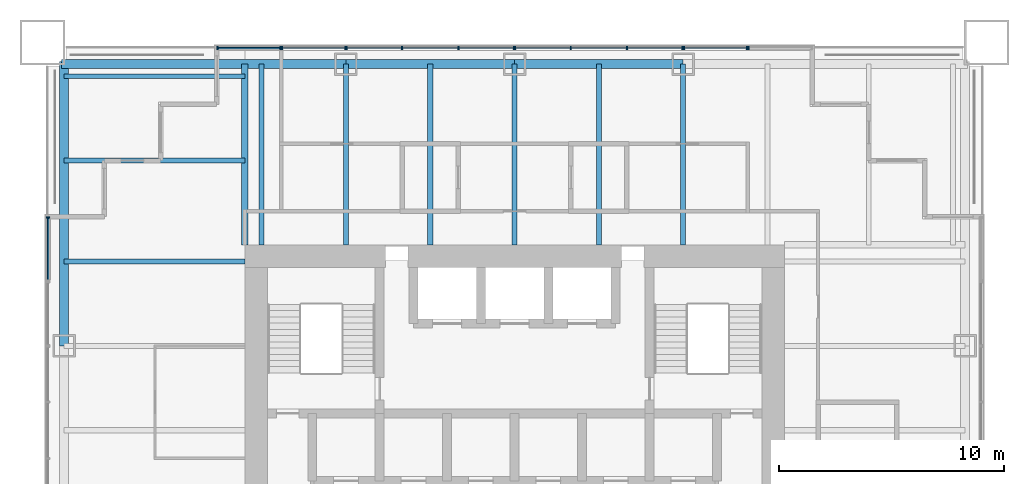
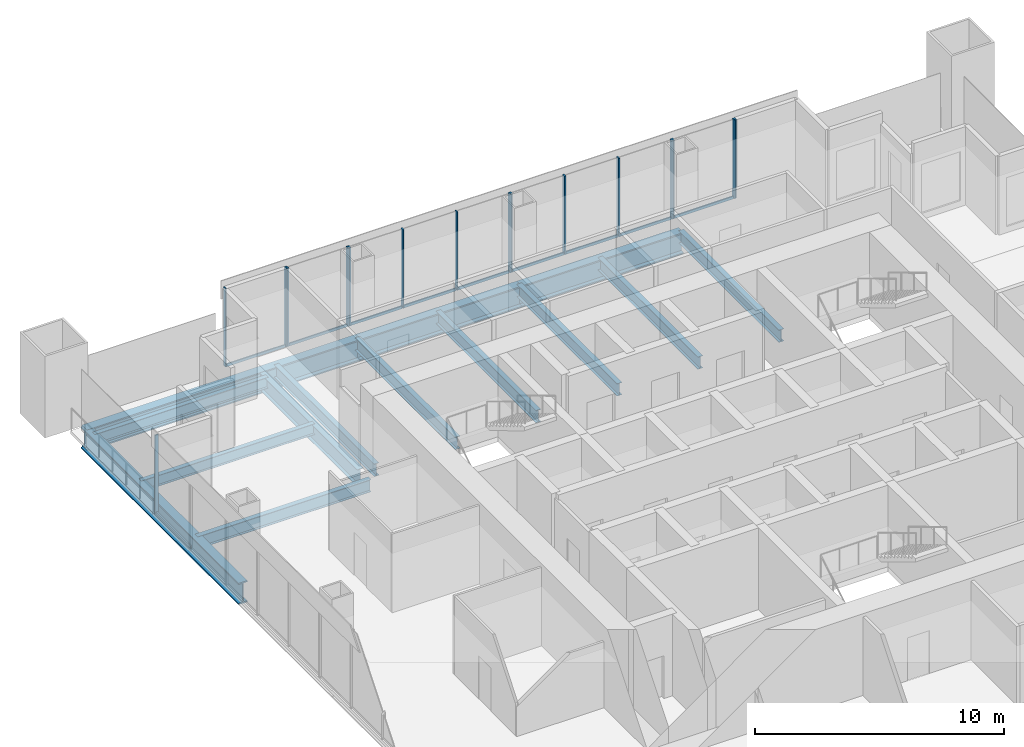
# One storey, part 6 of 14: 26 members, 14 beams, 7 elements without a shape of their own.
"""IFC4 building model written with IfcOpenShell, lengths in metres."""

import ifcopenshell
import ifcopenshell.guid

model = None  # the IFC model being written
_history = None  # IfcOwnerHistory: only IFC2X3 demands one
_inside = {}  # id of a spatial element -> (the spatial element, [elements in it])
_under = {}  # id of a project, library or spatial element -> (it, [spatial elements below it])
_declared = {}  # id of a project -> (the project, [libraries it declares])
_typed = {}  # id of a type object -> (the type object, [elements of that type])
_made_of = {}  # id of a material, layer set ... -> (it, [elements and type objects made of it])


def new_model(schema):
    """Start an empty IFC model of exactly this schema.

    Asked for "IFC4X3", IfcOpenShell would pick the latest addendum, in which some entities
    have other attributes; the version numbers below select the first issue.
    IFC2X3 requires an IfcOwnerHistory on every rooted entity: one is made here for all.
    """
    global model, _history
    if schema == "IFC4X3":
        model = ifcopenshell.file(schema_version=(4, 3, 0, 0))
    else:
        model = ifcopenshell.file(schema=schema)
    _inside.clear()
    _under.clear()
    _declared.clear()
    _typed.clear()
    _made_of.clear()
    _history = None
    if model.schema == "IFC2X3":
        org = make("IfcOrganization", Name="unknown")
        user = make(
            "IfcPersonAndOrganization",
            ThePerson=make("IfcPerson", FamilyName="unknown"),
            TheOrganization=org,
        )
        app = make(
            "IfcApplication",
            ApplicationDeveloper=org,
            Version="unknown",
            ApplicationFullName="unknown",
            ApplicationIdentifier="unknown",
        )
        _history = make(
            "IfcOwnerHistory",
            OwningUser=user,
            OwningApplication=app,
            ChangeAction="ADDED",
            CreationDate=0,
        )
    return model


def make(cls, **values):
    """One entity of the class cls with the attributes given. An attribute that is None is left unset."""
    return model.create_entity(
        cls, **{name: value for name, value in values.items() if value is not None}
    )


def rooted(cls, **values):
    """An entity with a GlobalId (a new one), such as an element, a storey or a relation."""
    return make(cls, GlobalId=ifcopenshell.guid.new(), OwnerHistory=_history, **values)


def si_unit(unit_type, name, prefix=None):
    """IfcSIUnit, for example si_unit("LENGTHUNIT", "METRE", prefix="MILLI")."""
    return make("IfcSIUnit", UnitType=unit_type, Prefix=prefix, Name=name)


def assignment(units):
    """IfcUnitAssignment: the units of a project."""
    return None if units is None else make("IfcUnitAssignment", Units=units)


def point(xyz):
    """IfcCartesianPoint."""
    return None if xyz is None else make("IfcCartesianPoint", Coordinates=xyz)


def direction(xyz):
    """IfcDirection."""
    return None if xyz is None else make("IfcDirection", DirectionRatios=xyz)


def frame(location, z_axis=None, x_axis=None):
    """IfcAxis2Placement3D, a coordinate frame: its origin and axes. An axis left out is left unset."""
    return make(
        "IfcAxis2Placement3D",
        Location=point(location),
        Axis=direction(z_axis),
        RefDirection=direction(x_axis),
    )


def frame_2d(location, x_axis=None):
    """IfcAxis2Placement2D, a coordinate frame in the plane: its origin and x axis."""
    return make(
        "IfcAxis2Placement2D", Location=point(location), RefDirection=direction(x_axis)
    )


def origin():
    """The frame at (0, 0, 0) with its axes left unset."""
    return frame((0.0, 0.0, 0.0))


def origin_2d():
    """The frame at (0, 0) in the plane with its x axis left unset."""
    return frame_2d((0.0, 0.0))


def place(relative_to, where):
    """IfcLocalPlacement: puts the frame where relative to a parent placement (None: the world)."""
    return make(
        "IfcLocalPlacement", PlacementRelTo=relative_to, RelativePlacement=where
    )


def context(
    kind, dimensions, precision=None, world=None, true_north=None, identifier=None
):
    """IfcGeometricRepresentationContext, for example the 3D "Model" context."""
    return make(
        "IfcGeometricRepresentationContext",
        ContextIdentifier=identifier,
        ContextType=kind,
        CoordinateSpaceDimension=dimensions,
        Precision=precision,
        WorldCoordinateSystem=world,
        TrueNorth=true_north,
    )


def subcontext(parent, identifier, kind, view, scale=None):
    """IfcGeometricRepresentationSubContext, for example "Body" below "Model"."""
    return make(
        "IfcGeometricRepresentationSubContext",
        ContextIdentifier=identifier,
        ContextType=kind,
        ParentContext=parent,
        TargetScale=scale,
        TargetView=view,
    )


def project(units=None, contexts=None):
    """IfcProject with its units and contexts."""
    return rooted(
        "IfcProject",
        Name="project",
        RepresentationContexts=contexts,
        UnitsInContext=assignment(units),
    )


def spatial(cls, under=None, at=None, **own):
    """A site, building, storey or space (cls), placed at a placement, below another one or the project."""
    s = rooted(cls, ObjectPlacement=at, **own)
    if under is not None:
        _under.setdefault(under.id(), (under, []))[1].append(s)
    return s


def profile(cls, at=None, kind="AREA", **sizes):
    """A parametric profile (cls). Its sizes go by their IFC names, for example OverallWidth=200.0."""
    return make(cls, ProfileType=kind, Position=at, **sizes)


def rectangle(**sizes):
    """IfcRectangleProfileDef."""
    return profile("IfcRectangleProfileDef", **sizes)


def i_section(**sizes):
    """IfcIShapeProfileDef."""
    return profile("IfcIShapeProfileDef", **sizes)


def extrude(swept, where, along, depth):
    """IfcExtrudedAreaSolid: the profile swept, set in the frame where, extruded along a direction by depth."""
    return make(
        "IfcExtrudedAreaSolid",
        SweptArea=swept,
        Position=where,
        ExtrudedDirection=direction(along),
        Depth=depth,
    )


def shape(context_of_items, identifier, shape_type, items):
    """IfcShapeRepresentation: the items that make up one representation, for example the "Body"."""
    return make(
        "IfcShapeRepresentation",
        ContextOfItems=context_of_items,
        RepresentationIdentifier=identifier,
        RepresentationType=shape_type,
        Items=items,
    )


def material(Name=None, Category=None):
    """IfcMaterial."""
    return make("IfcMaterial", Name=Name, Category=Category)


def material_profile(
    of_material, cross_section, Name=None, Category=None, Priority=None
):
    """IfcMaterialProfile: a cross section and its material."""
    return make(
        "IfcMaterialProfile",
        Name=Name,
        Material=of_material,
        Profile=cross_section,
        Priority=Priority,
        Category=Category,
    )


def profile_set(profiles, Name=None, composite=None):
    """IfcMaterialProfileSet."""
    return make(
        "IfcMaterialProfileSet",
        Name=Name,
        MaterialProfiles=profiles,
        CompositeProfile=composite,
    )


def made_of(thing, what):
    """Note that an element or type object is made of a material, layer set ...; save() writes the relation."""
    if what is not None:
        _made_of.setdefault(what.id(), (what, []))[1].append(thing)
    return thing


def type_object(cls, material=None, **own):
    """A type object (cls), such as IfcWallType, which elements share."""
    return made_of(rooted(cls, **own), material)


def element(
    cls,
    number,
    at=None,
    inside=None,
    cuts=None,
    type_object=None,
    material=None,
    context=None,
    identifier="Body",
    shape_type=None,
    held_by="IfcProductDefinitionShape",
    body=None,
    shapes=None,
    **own,
):
    """One element of the class cls, such as IfcWall. Its Tag is "e" and its number.

    at: its placement. inside: the storey or other place that contains it. cuts: it is an
    opening in that element (IfcRelVoidsElement). A single representation is given by context,
    identifier, shape_type and body (its items); several are given by shapes. held_by: the class
    of the entity that holds the representations. save() writes the other relations.
    """
    e = rooted(cls, Tag="e%d" % number, ObjectPlacement=at, **own)
    if body is not None:
        shapes = [shape(context, identifier, shape_type, body)]
    if shapes is not None:
        e.Representation = make(held_by, Representations=shapes)
    if inside is not None:
        _inside.setdefault(inside.id(), (inside, []))[1].append(e)
    if cuts is not None:
        rooted(
            "IfcRelVoidsElement", RelatingBuildingElement=cuts, RelatedOpeningElement=e
        )
    if type_object is not None:
        _typed.setdefault(type_object.id(), (type_object, []))[1].append(e)
    return made_of(e, material)


def aggregate(whole, parts):
    """IfcRelAggregates: a whole, such as a stair, and the parts it consists of."""
    return rooted("IfcRelAggregates", RelatingObject=whole, RelatedObjects=parts)


def save(model, path):
    """Write the relations noted so far, then the file.

    IfcRelAggregates (storeys below a building ...), IfcRelContainedInSpatialStructure (elements
    in a storey), IfcRelDefinesByType, IfcRelAssociatesMaterial and IfcRelDeclares: one each for
    every whole, place, type object, material and project.
    """
    for whole, parts in _under.values():
        aggregate(whole, parts)
    for where, things in _inside.values():
        rooted(
            "IfcRelContainedInSpatialStructure",
            RelatedElements=things,
            RelatingStructure=where,
        )
    for kind, things in _typed.values():
        rooted("IfcRelDefinesByType", RelatedObjects=things, RelatingType=kind)
    for what, things in _made_of.values():
        rooted("IfcRelAssociatesMaterial", RelatedObjects=things, RelatingMaterial=what)
    for by, libraries in _declared.values():
        rooted("IfcRelDeclares", RelatingContext=by, RelatedDefinitions=libraries)
    model.write(path)


model = new_model("IFC4")

# Units and contexts
model_context = context("Model", 3, precision=1e-05, world=origin(), true_north=direction((0.0, 1.0)))
body_context = subcontext(model_context, "Body", "Model", "MODEL_VIEW")
ifc_project = project(units=[si_unit("LENGTHUNIT", "METRE"), si_unit("AREAUNIT", "SQUARE_METRE"), si_unit("VOLUMEUNIT", "CUBIC_METRE"), si_unit("PLANEANGLEUNIT", "RADIAN"), si_unit("MASSUNIT", "GRAM", prefix="KILO")], contexts=[model_context])

# Site, building, storey
site_placement = place(None, origin())
site = spatial("IfcSite", under=ifc_project, at=site_placement, CompositionType="ELEMENT")
building_placement = place(site_placement, origin())
building = spatial("IfcBuilding", under=site, at=building_placement, Name="Tarangal Relay Tower", CompositionType="ELEMENT")
storey_placement = place(building_placement, frame((0.0, 0.0, 327.89990234375)))
storey = spatial("IfcBuildingStorey", under=building, at=storey_placement, Name="L73", CompositionType="ELEMENT", Elevation=327.89990234375)

# Beams
ifc_material_1 = material(Name="Steel ASTM A992", Category="steel")
ifc_material_profile_1 = material_profile(ifc_material_1, i_section(OverallWidth=0.209228515625, OverallDepth=0.533447265625, WebThickness=0.01025390625, FlangeThickness=0.015625, at=origin_2d()), Name="W21X62")
ifc_profile_set_1 = profile_set([ifc_material_profile_1], Name="Steel ASTM A992")
beam_type_1 = type_object("IfcBeamType", Name="Corner beam W21X62", PredefinedType="JOIST", material=ifc_profile_set_1)
for number, where, z_axis, x_axis, name in (
    (1, (-12.0, 15.75, -0.41650390625), (-1.0, 0.0, 0.0), (0.0, -1.0, 0.0), "Corner beam CB12 W L73"),
    (2, (-12.0, 19.5, -0.41650390625), (-1.0, 0.0, 0.0), (0.0, -1.0, 0.0), "Corner beam CB12 W L73"),
):
    element("IfcBeam", number, at=place(storey_placement, frame(where, z_axis=z_axis, x_axis=x_axis)), inside=storey, type_object=beam_type_1, Name=name, PredefinedType="JOIST", context=body_context, shape_type="SweptSolid", body=[
        extrude(i_section(OverallWidth=0.209228515625, OverallDepth=0.533447265625, WebThickness=0.01025390625, FlangeThickness=0.015625, at=origin_2d()), origin(), (0.0, 0.0, 1.0), 8.0400390625),
    ])
ifc_material_profile_2 = material_profile(ifc_material_1, i_section(OverallWidth=0.2919921875, OverallDepth=0.8408203125, WebThickness=0.0146484375, FlangeThickness=0.021728515625, at=origin_2d()), Name="W33X130")
ifc_profile_set_2 = profile_set([ifc_material_profile_2], Name="Steel ASTM A992")
beam_type_2 = type_object("IfcBeamType", Name="Corner girder W33X130", PredefinedType="BEAM", material=ifc_profile_set_2)
beam_1_placement = place(storey_placement, frame((-12.0, 12.0, -0.5703125), z_axis=(0.0, 1.0, 0.0), x_axis=(-1.0, 0.0, 0.0)))
element("IfcBeam", 3, at=beam_1_placement, inside=storey, type_object=beam_type_2, Name="Corner girder CG5 W L73", PredefinedType="BEAM", context=body_context, shape_type="SweptSolid", body=[
    extrude(i_section(OverallWidth=0.2919921875, OverallDepth=0.8408203125, WebThickness=0.0146484375, FlangeThickness=0.021728515625, at=origin_2d()), origin(), (0.0, 0.0, 1.0), 8.0400390625),
])
ifc_material_profile_3 = material_profile(ifc_material_1, i_section(OverallWidth=0.41162109375, OverallDepth=1.049072265625, WebThickness=0.033935546875, FlangeThickness=0.059814453125, at=origin_2d()), Name="W40X431")
ifc_profile_set_3 = profile_set([ifc_material_profile_3], Name="Steel ASTM A992")
beam_type_3 = type_object("IfcBeamType", Name="Edge girder W40X431", PredefinedType="SPANDREL", material=ifc_profile_set_3)
beam_2_placement = place(storey_placement, frame((-20.14990234375, 20.0400390625, -0.67431640625), z_axis=(1.0, 0.0, 0.0), x_axis=(0.0, 1.0, 0.0)))
element("IfcBeam", 4, at=beam_2_placement, inside=storey, type_object=beam_type_3, Name="Edge girder EG1 N L73", PredefinedType="SPANDREL", context=body_context, shape_type="SweptSolid", body=[
    extrude(i_section(OverallWidth=0.41162109375, OverallDepth=1.049072265625, WebThickness=0.033935546875, FlangeThickness=0.059814453125, at=origin_2d()), origin(), (0.0, 0.0, 1.0), 12.64990234375),
])
for number, where, z_axis, x_axis, name in (
    (5, (-7.5, 20.0400390625, -0.67431640625), (1.0, 0.0, 0.0), (0.0, 1.0, 0.0), "Edge girder EG1 N L73"),
    (6, (0.0, 20.0400390625, -0.67431640625), (1.0, 0.0, 0.0), (0.0, 1.0, 0.0), "Edge girder EG1 N L73"),
):
    element("IfcBeam", number, at=place(storey_placement, frame(where, z_axis=z_axis, x_axis=x_axis)), inside=storey, type_object=beam_type_3, Name=name, PredefinedType="SPANDREL", context=body_context, shape_type="SweptSolid", body=[
        extrude(i_section(OverallWidth=0.41162109375, OverallDepth=1.049072265625, WebThickness=0.033935546875, FlangeThickness=0.059814453125, at=origin_2d()), origin(), (0.0, 0.0, 1.0), 7.5),
    ])
beam_3_placement = place(storey_placement, frame((-20.0400390625, 7.5, -0.67431640625), z_axis=(0.0, 1.0, 0.0), x_axis=(-1.0, 0.0, 0.0)))
element("IfcBeam", 7, at=beam_3_placement, inside=storey, type_object=beam_type_3, Name="Edge girder EG1 W L73", PredefinedType="SPANDREL", context=body_context, shape_type="SweptSolid", body=[
    extrude(i_section(OverallWidth=0.41162109375, OverallDepth=1.049072265625, WebThickness=0.033935546875, FlangeThickness=0.059814453125, at=origin_2d()), origin(), (0.0, 0.0, 1.0), 12.64990234375),
])
ifc_material_profile_4 = material_profile(ifc_material_1, i_section(OverallWidth=0.228271484375, OverallDepth=0.607177734375, WebThickness=0.01123046875, FlangeThickness=0.017333984375, at=origin_2d()), Name="W24X76")
ifc_profile_set_4 = profile_set([ifc_material_profile_4], Name="Steel ASTM A992")
beam_type_4 = type_object("IfcBeamType", Name="Floor beam W24X76", PredefinedType="BEAM", material=ifc_profile_set_4)
for number, where, z_axis, x_axis, name in (
    (8, (-11.25, 12.0, -0.453369140625), (0.0, 1.0, 0.0), (-1.0, 0.0, 0.0), "Floor beam RB5 N L73"),
    (9, (-7.5, 12.0, -0.453369140625), (0.0, 1.0, 0.0), (-1.0, 0.0, 0.0), "Floor beam RB5 N L73"),
    (10, (-3.75, 12.0, -0.453369140625), (0.0, 1.0, 0.0), (-1.0, 0.0, 0.0), "Floor beam RB5 N L73"),
    (11, (0.0, 12.0, -0.453369140625), (0.0, 1.0, 0.0), (-1.0, 0.0, 0.0), "Floor beam RB5 N L73"),
    (12, (3.75, 12.0, -0.453369140625), (0.0, 1.0, 0.0), (-1.0, 0.0, 0.0), "Floor beam RB5 N L73"),
    (13, (7.5, 12.0, -0.453369140625), (0.0, 1.0, 0.0), (-1.0, 0.0, 0.0), "Floor beam RB5 N L73"),
    (14, (-12.0, 11.25, -0.453369140625), (-1.0, 0.0, 0.0), (0.0, -1.0, 0.0), "Floor beam RB5 W L73"),
):
    element("IfcBeam", number, at=place(storey_placement, frame(where, z_axis=z_axis, x_axis=x_axis)), inside=storey, type_object=beam_type_4, Name=name, PredefinedType="BEAM", context=body_context, shape_type="SweptSolid", body=[
        extrude(i_section(OverallWidth=0.228271484375, OverallDepth=0.607177734375, WebThickness=0.01123046875, FlangeThickness=0.017333984375, at=origin_2d()), origin(), (0.0, 0.0, 1.0), 8.0400390625),
    ])

# Curtain wall, members
ifc_material_2 = material(Name="Unitised curtain wall, dark glass and black aluminium", Category="aluminium")
curtain_wall_type_1 = type_object("IfcCurtainWallType", Name="Curtain wall CW-B", PredefinedType="USERDEFINED", material=ifc_material_2)
curtain_wall_1_placement = place(storey_placement, origin())
curtain_wall_1 = element("IfcCurtainWall", 15, at=curtain_wall_1_placement, inside=storey, type_object=curtain_wall_type_1, Name="Curtain wall CW-B N facade L73", ObjectType="UNITISED CURTAIN WALL", PredefinedType="USERDEFINED")
ifc_material_3 = material(Name="Black anodised aluminium mullion", Category="aluminium")
ifc_material_profile_5 = material_profile(ifc_material_3, rectangle(XDim=0.159912109375, YDim=0.06005859375, at=origin_2d()), Name="CW-BM 60X160")
ifc_profile_set_5 = profile_set([ifc_material_profile_5], Name="Black anodised aluminium mullion")
member_type_1 = type_object("IfcMemberType", Name="Mullion CW-B 60 x 160", PredefinedType="MULLION", material=ifc_profile_set_5)
member_1_placement = place(storey_placement, frame((-10.344970703125, 20.75, 0.0), z_axis=(0.0, 0.0, 1.0), x_axis=(0.0, 1.0, 0.0)))
member_1 = element("IfcMember", 16, at=member_1_placement, type_object=member_type_1, Name="CW-B mullion 1", PredefinedType="MULLION", context=body_context, shape_type="SweptSolid", body=[
    extrude(rectangle(XDim=0.159912109375, YDim=0.06005859375, at=origin_2d()), origin(), (0.0, 0.0, 1.0), 3.85009765625),
])
member_2_placement = place(storey_placement, frame((-7.530029296875, 20.75, 0.0), z_axis=(0.0, 0.0, 1.0), x_axis=(0.0, 1.0, 0.0)))
member_2 = element("IfcMember", 17, at=member_2_placement, type_object=member_type_1, Name="CW-B mullion 2", PredefinedType="MULLION", context=body_context, shape_type="SweptSolid", body=[
    extrude(rectangle(XDim=0.159912109375, YDim=0.06005859375, at=origin_2d()), origin(), (0.0, 0.0, 1.0), 3.85009765625),
])

curtain_wall_2_placement = place(storey_placement, origin())
curtain_wall_2 = element("IfcCurtainWall", 18, at=curtain_wall_2_placement, inside=storey, type_object=curtain_wall_type_1, Name="Curtain wall CW-B N facade L73", ObjectType="UNITISED CURTAIN WALL", PredefinedType="USERDEFINED")
member_3_placement = place(storey_placement, frame((-7.469970703125, 20.75, 0.0), z_axis=(0.0, 0.0, 1.0), x_axis=(0.0, 1.0, 0.0)))
member_3 = element("IfcMember", 19, at=member_3_placement, type_object=member_type_1, Name="CW-B mullion 1", PredefinedType="MULLION", context=body_context, shape_type="SweptSolid", body=[
    extrude(rectangle(XDim=0.159912109375, YDim=0.06005859375, at=origin_2d()), origin(), (0.0, 0.0, 1.0), 3.85009765625),
])
member_4_placement = place(storey_placement, frame((-5.0, 20.75, 0.0), z_axis=(0.0, 0.0, 1.0), x_axis=(0.0, 1.0, 0.0)))
member_4 = element("IfcMember", 20, at=member_4_placement, type_object=member_type_1, Name="CW-B mullion 2", PredefinedType="MULLION", context=body_context, shape_type="SweptSolid", body=[
    extrude(rectangle(XDim=0.159912109375, YDim=0.06005859375, at=origin_2d()), origin(), (0.0, 0.0, 1.0), 3.85009765625),
])
member_5_placement = place(storey_placement, frame((-2.5, 20.75, 0.0), z_axis=(0.0, 0.0, 1.0), x_axis=(0.0, 1.0, 0.0)))
member_5 = element("IfcMember", 21, at=member_5_placement, type_object=member_type_1, Name="CW-B mullion 3", PredefinedType="MULLION", context=body_context, shape_type="SweptSolid", body=[
    extrude(rectangle(XDim=0.159912109375, YDim=0.06005859375, at=origin_2d()), origin(), (0.0, 0.0, 1.0), 3.85009765625),
])
member_6_placement = place(storey_placement, frame((-0.030029296875, 20.75, 0.0), z_axis=(0.0, 0.0, 1.0), x_axis=(0.0, 1.0, 0.0)))
member_6 = element("IfcMember", 22, at=member_6_placement, type_object=member_type_1, Name="CW-B mullion 4", PredefinedType="MULLION", context=body_context, shape_type="SweptSolid", body=[
    extrude(rectangle(XDim=0.159912109375, YDim=0.06005859375, at=origin_2d()), origin(), (0.0, 0.0, 1.0), 3.85009765625),
])

curtain_wall_3_placement = place(storey_placement, origin())
curtain_wall_3 = element("IfcCurtainWall", 23, at=curtain_wall_3_placement, inside=storey, type_object=curtain_wall_type_1, Name="Curtain wall CW-B N facade L73", ObjectType="UNITISED CURTAIN WALL", PredefinedType="USERDEFINED")
member_7_placement = place(storey_placement, frame((0.030029296875, 20.75, 0.0), z_axis=(0.0, 0.0, 1.0), x_axis=(0.0, 1.0, 0.0)))
member_7 = element("IfcMember", 24, at=member_7_placement, type_object=member_type_1, Name="CW-B mullion 1", PredefinedType="MULLION", context=body_context, shape_type="SweptSolid", body=[
    extrude(rectangle(XDim=0.159912109375, YDim=0.06005859375, at=origin_2d()), origin(), (0.0, 0.0, 1.0), 3.85009765625),
])
member_8_placement = place(storey_placement, frame((2.5, 20.75, 0.0), z_axis=(0.0, 0.0, 1.0), x_axis=(0.0, 1.0, 0.0)))
member_8 = element("IfcMember", 25, at=member_8_placement, type_object=member_type_1, Name="CW-B mullion 2", PredefinedType="MULLION", context=body_context, shape_type="SweptSolid", body=[
    extrude(rectangle(XDim=0.159912109375, YDim=0.06005859375, at=origin_2d()), origin(), (0.0, 0.0, 1.0), 3.85009765625),
])
member_9_placement = place(storey_placement, frame((5.0, 20.75, 0.0), z_axis=(0.0, 0.0, 1.0), x_axis=(0.0, 1.0, 0.0)))
member_9 = element("IfcMember", 26, at=member_9_placement, type_object=member_type_1, Name="CW-B mullion 3", PredefinedType="MULLION", context=body_context, shape_type="SweptSolid", body=[
    extrude(rectangle(XDim=0.159912109375, YDim=0.06005859375, at=origin_2d()), origin(), (0.0, 0.0, 1.0), 3.85009765625),
])
member_10_placement = place(storey_placement, frame((7.469970703125, 20.75, 0.0), z_axis=(0.0, 0.0, 1.0), x_axis=(0.0, 1.0, 0.0)))
member_10 = element("IfcMember", 27, at=member_10_placement, type_object=member_type_1, Name="CW-B mullion 4", PredefinedType="MULLION", context=body_context, shape_type="SweptSolid", body=[
    extrude(rectangle(XDim=0.159912109375, YDim=0.06005859375, at=origin_2d()), origin(), (0.0, 0.0, 1.0), 3.85009765625),
])

curtain_wall_4_placement = place(storey_placement, origin())
curtain_wall_4 = element("IfcCurtainWall", 28, at=curtain_wall_4_placement, inside=storey, type_object=curtain_wall_type_1, Name="Curtain wall CW-B N facade L73", ObjectType="UNITISED CURTAIN WALL", PredefinedType="USERDEFINED")
member_11_placement = place(storey_placement, frame((7.530029296875, 20.75, 0.0), z_axis=(0.0, 0.0, 1.0), x_axis=(0.0, 1.0, 0.0)))
member_11 = element("IfcMember", 29, at=member_11_placement, type_object=member_type_1, Name="CW-B mullion 1", PredefinedType="MULLION", context=body_context, shape_type="SweptSolid", body=[
    extrude(rectangle(XDim=0.159912109375, YDim=0.06005859375, at=origin_2d()), origin(), (0.0, 0.0, 1.0), 3.85009765625),
])
member_12_placement = place(storey_placement, frame((10.344970703125, 20.75, 0.0), z_axis=(0.0, 0.0, 1.0), x_axis=(0.0, 1.0, 0.0)))
member_12 = element("IfcMember", 30, at=member_12_placement, type_object=member_type_1, Name="CW-B mullion 2", PredefinedType="MULLION", context=body_context, shape_type="SweptSolid", body=[
    extrude(rectangle(XDim=0.159912109375, YDim=0.06005859375, at=origin_2d()), origin(), (0.0, 0.0, 1.0), 3.85009765625),
])

ifc_material_4 = material(Name="Unitised curtain wall frame, black aluminium, with metal clad infill walls", Category="aluminium")
curtain_wall_type_2 = type_object("IfcCurtainWallType", Name="Curtain wall CW-BO", PredefinedType="USERDEFINED", material=ifc_material_4)
curtain_wall_5_placement = place(storey_placement, origin())
curtain_wall_5 = element("IfcCurtainWall", 31, at=curtain_wall_5_placement, inside=storey, type_object=curtain_wall_type_2, Name="Curtain wall CW-BO N facade L73", ObjectType="UNITISED CURTAIN WALL", PredefinedType="USERDEFINED")
ifc_material_profile_6 = material_profile(ifc_material_3, rectangle(XDim=0.159912109375, YDim=0.06005859375, at=origin_2d()), Name="CW-BOM 60X160")
ifc_profile_set_6 = profile_set([ifc_material_profile_6], Name="Black anodised aluminium mullion")
member_type_2 = type_object("IfcMemberType", Name="Mullion CW-BO 60 x 160", PredefinedType="MULLION", material=ifc_profile_set_6)
member_13_placement = place(storey_placement, frame((-13.219970703125, 20.75, 0.0), z_axis=(0.0, 0.0, 1.0), x_axis=(0.0, 1.0, 0.0)))
member_13 = element("IfcMember", 32, at=member_13_placement, type_object=member_type_2, Name="CW-BO mullion 1", PredefinedType="MULLION", context=body_context, shape_type="SweptSolid", body=[
    extrude(rectangle(XDim=0.159912109375, YDim=0.06005859375, at=origin_2d()), origin(), (0.0, 0.0, 1.0), 3.85009765625),
])
member_14_placement = place(storey_placement, frame((-10.405029296875, 20.75, 0.0), z_axis=(0.0, 0.0, 1.0), x_axis=(0.0, 1.0, 0.0)))
member_14 = element("IfcMember", 33, at=member_14_placement, type_object=member_type_2, Name="CW-BO mullion 2", PredefinedType="MULLION", context=body_context, shape_type="SweptSolid", body=[
    extrude(rectangle(XDim=0.159912109375, YDim=0.06005859375, at=origin_2d()), origin(), (0.0, 0.0, 1.0), 3.85009765625),
])

# Curtain wall, member
curtain_wall_6_placement = place(storey_placement, origin())
curtain_wall_6 = element("IfcCurtainWall", 34, at=curtain_wall_6_placement, inside=storey, type_object=curtain_wall_type_2, Name="Curtain wall CW-BO N facade L73", ObjectType="UNITISED CURTAIN WALL", PredefinedType="USERDEFINED")
member_15_placement = place(storey_placement, frame((10.405029296875, 20.75, 0.0), z_axis=(0.0, 0.0, 1.0), x_axis=(0.0, 1.0, 0.0)))
member_15 = element("IfcMember", 35, at=member_15_placement, type_object=member_type_2, Name="CW-BO mullion 1", PredefinedType="MULLION", context=body_context, shape_type="SweptSolid", body=[
    extrude(rectangle(XDim=0.159912109375, YDim=0.06005859375, at=origin_2d()), origin(), (0.0, 0.0, 1.0), 3.85009765625),
])
aggregate(curtain_wall_6, [member_15])

curtain_wall_7_placement = place(storey_placement, origin())
curtain_wall_7 = element("IfcCurtainWall", 36, at=curtain_wall_7_placement, inside=storey, type_object=curtain_wall_type_2, Name="Curtain wall CW-BO W facade L73", ObjectType="UNITISED CURTAIN WALL", PredefinedType="USERDEFINED")
member_16_placement = place(storey_placement, frame((-20.75, 13.219970703125, 0.0), z_axis=(0.0, 0.0, 1.0), x_axis=(-1.0, 0.0, 0.0)))
member_16 = element("IfcMember", 37, at=member_16_placement, type_object=member_type_2, Name="CW-BO mullion 2", PredefinedType="MULLION", context=body_context, shape_type="SweptSolid", body=[
    extrude(rectangle(XDim=0.159912109375, YDim=0.06005859375, at=origin_2d()), origin(), (0.0, 0.0, 1.0), 3.85009765625),
])

# Member
ifc_material_5 = material(Name="Black anodised aluminium transom", Category="aluminium")
ifc_material_profile_7 = material_profile(ifc_material_5, rectangle(XDim=0.06005859375, YDim=0.1298828125, at=origin_2d()), Name="CW-BT 60X130")
ifc_profile_set_7 = profile_set([ifc_material_profile_7], Name="Black anodised aluminium transom")
member_type_3 = type_object("IfcMemberType", Name="Transom CW-B 60 x 130", PredefinedType="USERDEFINED", material=ifc_profile_set_7)
member_17_placement = place(storey_placement, frame((-10.31494140625, 20.75, 0.030029296875), z_axis=(1.0, 0.0, 0.0), x_axis=(0.0, 1.0, 0.0)))
member_17 = element("IfcMember", 38, at=member_17_placement, type_object=member_type_3, Name="CW-B transom 1.1", ObjectType="TRANSOM", PredefinedType="USERDEFINED", context=body_context, shape_type="SweptSolid", body=[
    extrude(rectangle(XDim=0.06005859375, YDim=0.1298828125, at=origin_2d()), origin(), (0.0, 0.0, 1.0), 2.7548828125),
])

aggregate(curtain_wall_1, [member_1, member_2, member_17])

member_18_placement = place(storey_placement, frame((-7.43994140625, 20.75, 0.030029296875), z_axis=(1.0, 0.0, 0.0), x_axis=(0.0, 1.0, 0.0)))
member_18 = element("IfcMember", 39, at=member_18_placement, type_object=member_type_3, Name="CW-B transom 1.1", ObjectType="TRANSOM", PredefinedType="USERDEFINED", context=body_context, shape_type="SweptSolid", body=[
    extrude(rectangle(XDim=0.06005859375, YDim=0.1298828125, at=origin_2d()), origin(), (0.0, 0.0, 1.0), 2.409912109375),
])

member_19_placement = place(storey_placement, frame((-4.969970703125, 20.75, 0.030029296875), z_axis=(1.0, 0.0, 0.0), x_axis=(0.0, 1.0, 0.0)))
member_19 = element("IfcMember", 40, at=member_19_placement, type_object=member_type_3, Name="CW-B transom 2.1", ObjectType="TRANSOM", PredefinedType="USERDEFINED", context=body_context, shape_type="SweptSolid", body=[
    extrude(rectangle(XDim=0.06005859375, YDim=0.1298828125, at=origin_2d()), origin(), (0.0, 0.0, 1.0), 2.43994140625),
])

member_20_placement = place(storey_placement, frame((-2.469970703125, 20.75, 0.030029296875), z_axis=(1.0, 0.0, 0.0), x_axis=(0.0, 1.0, 0.0)))
member_20 = element("IfcMember", 41, at=member_20_placement, type_object=member_type_3, Name="CW-B transom 3.1", ObjectType="TRANSOM", PredefinedType="USERDEFINED", context=body_context, shape_type="SweptSolid", body=[
    extrude(rectangle(XDim=0.06005859375, YDim=0.1298828125, at=origin_2d()), origin(), (0.0, 0.0, 1.0), 2.409912109375),
])

aggregate(curtain_wall_2, [member_3, member_4, member_5, member_6, member_18, member_19, member_20])

member_21_placement = place(storey_placement, frame((0.06005859375, 20.75, 0.030029296875), z_axis=(1.0, 0.0, 0.0), x_axis=(0.0, 1.0, 0.0)))
member_21 = element("IfcMember", 42, at=member_21_placement, type_object=member_type_3, Name="CW-B transom 1.1", ObjectType="TRANSOM", PredefinedType="USERDEFINED", context=body_context, shape_type="SweptSolid", body=[
    extrude(rectangle(XDim=0.06005859375, YDim=0.1298828125, at=origin_2d()), origin(), (0.0, 0.0, 1.0), 2.409912109375),
])

member_22_placement = place(storey_placement, frame((2.530029296875, 20.75, 0.030029296875), z_axis=(1.0, 0.0, 0.0), x_axis=(0.0, 1.0, 0.0)))
member_22 = element("IfcMember", 43, at=member_22_placement, type_object=member_type_3, Name="CW-B transom 2.1", ObjectType="TRANSOM", PredefinedType="USERDEFINED", context=body_context, shape_type="SweptSolid", body=[
    extrude(rectangle(XDim=0.06005859375, YDim=0.1298828125, at=origin_2d()), origin(), (0.0, 0.0, 1.0), 2.43994140625),
])

member_23_placement = place(storey_placement, frame((5.030029296875, 20.75, 0.030029296875), z_axis=(1.0, 0.0, 0.0), x_axis=(0.0, 1.0, 0.0)))
member_23 = element("IfcMember", 44, at=member_23_placement, type_object=member_type_3, Name="CW-B transom 3.1", ObjectType="TRANSOM", PredefinedType="USERDEFINED", context=body_context, shape_type="SweptSolid", body=[
    extrude(rectangle(XDim=0.06005859375, YDim=0.1298828125, at=origin_2d()), origin(), (0.0, 0.0, 1.0), 2.409912109375),
])

aggregate(curtain_wall_3, [member_7, member_8, member_9, member_10, member_21, member_22, member_23])

member_24_placement = place(storey_placement, frame((7.56005859375, 20.75, 0.030029296875), z_axis=(1.0, 0.0, 0.0), x_axis=(0.0, 1.0, 0.0)))
member_24 = element("IfcMember", 45, at=member_24_placement, type_object=member_type_3, Name="CW-B transom 1.1", ObjectType="TRANSOM", PredefinedType="USERDEFINED", context=body_context, shape_type="SweptSolid", body=[
    extrude(rectangle(XDim=0.06005859375, YDim=0.1298828125, at=origin_2d()), origin(), (0.0, 0.0, 1.0), 2.7548828125),
])

aggregate(curtain_wall_4, [member_11, member_12, member_24])

ifc_material_profile_8 = material_profile(ifc_material_5, rectangle(XDim=0.06005859375, YDim=0.1298828125, at=origin_2d()), Name="CW-BOT 60X130")
ifc_profile_set_8 = profile_set([ifc_material_profile_8], Name="Black anodised aluminium transom")
member_type_4 = type_object("IfcMemberType", Name="Transom CW-BO 60 x 130", PredefinedType="USERDEFINED", material=ifc_profile_set_8)
member_25_placement = place(storey_placement, frame((-13.18994140625, 20.75, 0.030029296875), z_axis=(1.0, 0.0, 0.0), x_axis=(0.0, 1.0, 0.0)))
member_25 = element("IfcMember", 46, at=member_25_placement, type_object=member_type_4, Name="CW-BO transom 1.1", ObjectType="TRANSOM", PredefinedType="USERDEFINED", context=body_context, shape_type="SweptSolid", body=[
    extrude(rectangle(XDim=0.06005859375, YDim=0.1298828125, at=origin_2d()), origin(), (0.0, 0.0, 1.0), 2.7548828125),
])

aggregate(curtain_wall_5, [member_13, member_14, member_25])

member_26_placement = place(storey_placement, frame((-20.75, 10.43505859375, 0.030029296875), z_axis=(0.0, 1.0, 0.0), x_axis=(-1.0, 0.0, 0.0)))
member_26 = element("IfcMember", 47, at=member_26_placement, type_object=member_type_4, Name="CW-BO transom 1.1", ObjectType="TRANSOM", PredefinedType="USERDEFINED", context=body_context, shape_type="SweptSolid", body=[
    extrude(rectangle(XDim=0.06005859375, YDim=0.1298828125, at=origin_2d()), origin(), (0.0, 0.0, 1.0), 2.7548828125),
])

aggregate(curtain_wall_7, [member_16, member_26])

save(model, "model.ifc")
